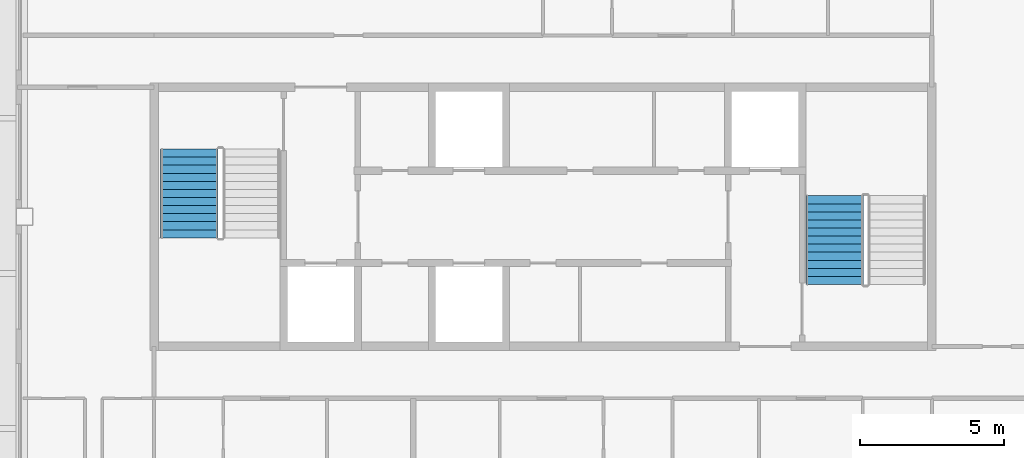
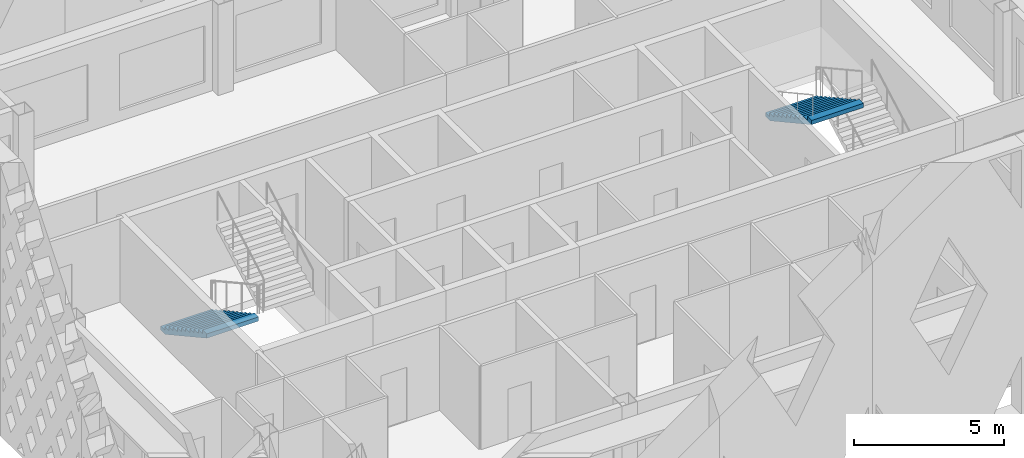
# One storey, part 7 of 13: 2 stair flights, 2 elements without a shape of their own.
"""IFC4 building model written with IfcOpenShell, lengths in metres."""

from ifc_helpers import new_model, si_unit, direction, frame, origin, place, context, subcontext, project, spatial, polygons, material, type_object, element, aggregate, save


model = new_model("IFC4")

# Units and contexts
model_context = context("Model", 3, precision=1e-05, world=origin(), true_north=direction((0.0, 1.0)))
body_context = subcontext(model_context, "Body", "Model", "MODEL_VIEW")
ifc_project = project(units=[si_unit("LENGTHUNIT", "METRE"), si_unit("AREAUNIT", "SQUARE_METRE"), si_unit("VOLUMEUNIT", "CUBIC_METRE"), si_unit("PLANEANGLEUNIT", "RADIAN"), si_unit("MASSUNIT", "GRAM", prefix="KILO")], contexts=[model_context])

# Site, building, storey
site_placement = place(None, origin())
site = spatial("IfcSite", under=ifc_project, at=site_placement, CompositionType="ELEMENT")
building_placement = place(site_placement, origin())
building = spatial("IfcBuilding", under=site, at=building_placement, Name="Caravel Reach Hotel and Residences", CompositionType="ELEMENT")
storey_placement = place(building_placement, frame((0.0, 0.0, 294.5)))
storey = spatial("IfcBuildingStorey", under=building, at=storey_placement, Name="L75", CompositionType="ELEMENT", Elevation=294.5)

# Stair, stair flight
ifc_material_1 = material(Name="Concrete C40", Category="concrete")
stair_type = type_object("IfcStairType", Name="Core stair", PredefinedType="HALF_TURN_STAIR", material=ifc_material_1)
stair_1_placement = place(storey_placement, origin())
stair_1 = element("IfcStair", 1, at=stair_1_placement, inside=storey, type_object=stair_type, Name="L75 Exit stair A", PredefinedType="HALF_TURN_STAIR")
ifc_material_2 = material(Name="Concrete C40", Category="concrete")
stair_flight_type = type_object("IfcStairFlightType", Name="Core stair flight", PredefinedType="STRAIGHT", material=ifc_material_2)
stair_flight_1_placement = place(storey_placement, frame((19.22509765625, 29.35009765625, 0.0), z_axis=(0.0, 0.0, 1.0), x_axis=(0.0, -1.0, 0.0)))
stair_flight_1 = element("IfcStairFlight", 2, at=stair_flight_1_placement, type_object=stair_flight_type, Name="ST-A flight 1", NumberOfRisers=12, NumberOfTreads=11, PredefinedType="STRAIGHT", RiserHeight=0.154166667, TreadLength=0.28, context=body_context, shape_type="Tessellation", body=[
    polygons([(0.3107950034306102, 1.0, 0.0), (0.3107950034306102, 0.6666666666666667, 0.0), (0.3107950034306102, 0.33333333333333337, 0.0), (0.3107950034306102, 0.0, 0.0), (0.3107950034306102, -0.33333333333333326, 0.0), (0.3107950034306102, -0.6666666666666667, 0.0), (0.3107950034306102, -1.0, 0.0), (3.081, 1.0, 1.524711087717319), (3.081, 0.6666666666666667, 1.524711087717319), (3.081, 0.33333333333333337, 1.524711087717319), (3.081, 0.0, 1.524711087717319), (3.081, -0.33333333333333326, 1.524711087717319), (3.081, -0.6666666666666667, 1.524711087717319), (3.081, -1.0, 1.524711087717319), (3.081, 1.0, 1.695833337), (3.081, 0.6666666666666667, 1.695833337), (3.081, 0.33333333333333337, 1.695833337), (3.081, 0.0, 1.695833337), (3.081, -0.33333333333333326, 1.695833337), (3.081, -0.6666666666666667, 1.695833337), (3.081, -1.0, 1.695833337), (2.8000000000000003, 1.0, 1.695833337), (2.8000000000000003, 0.6666666666666667, 1.695833337), (2.8000000000000003, 0.33333333333333337, 1.695833337), (2.8000000000000003, 0.0, 1.695833337), (2.8000000000000003, -0.33333333333333326, 1.695833337), (2.8000000000000003, -0.6666666666666667, 1.695833337), (2.8000000000000003, -1.0, 1.695833337), (2.8000000000000003, 1.0, 1.5416666700000001), (2.8000000000000003, 0.6666666666666667, 1.5416666700000001), (2.8000000000000003, 0.33333333333333337, 1.5416666700000001), (2.8000000000000003, 0.0, 1.5416666700000001), (2.8000000000000003, -0.33333333333333326, 1.5416666700000001), (2.8000000000000003, -0.6666666666666667, 1.5416666700000001), (2.8000000000000003, -1.0, 1.5416666700000001), (2.5200000000000005, 1.0, 1.5416666700000001), (2.5200000000000005, 0.6666666666666667, 1.5416666700000001), (2.5200000000000005, 0.33333333333333337, 1.5416666700000001), (2.5200000000000005, 0.0, 1.5416666700000001), (2.5200000000000005, -0.33333333333333326, 1.5416666700000001), (2.5200000000000005, -0.6666666666666667, 1.5416666700000001), (2.5200000000000005, -1.0, 1.5416666700000001), (2.5200000000000005, 1.0, 1.387500003), (2.5200000000000005, 0.6666666666666667, 1.387500003), (2.5200000000000005, 0.33333333333333337, 1.387500003), (2.5200000000000005, 0.0, 1.387500003), (2.5200000000000005, -0.33333333333333326, 1.387500003), (2.5200000000000005, -0.6666666666666667, 1.387500003), (2.5200000000000005, -1.0, 1.387500003), (2.24, 1.0, 1.387500003), (2.24, 0.6666666666666667, 1.387500003), (2.24, 0.33333333333333337, 1.387500003), (2.24, 0.0, 1.387500003), (2.24, -0.33333333333333326, 1.387500003), (2.24, -0.6666666666666667, 1.387500003), (2.24, -1.0, 1.387500003), (2.24, 1.0, 1.233333336), (2.24, 0.6666666666666667, 1.233333336), (2.24, 0.33333333333333337, 1.233333336), (2.24, 0.0, 1.233333336), (2.24, -0.33333333333333326, 1.233333336), (2.24, -0.6666666666666667, 1.233333336), (2.24, -1.0, 1.233333336), (1.9600000000000002, 1.0, 1.233333336), (1.9600000000000002, 0.6666666666666667, 1.233333336), (1.9600000000000002, 0.33333333333333337, 1.233333336), (1.9600000000000002, 0.0, 1.233333336), (1.9600000000000002, -0.33333333333333326, 1.233333336), (1.9600000000000002, -0.6666666666666667, 1.233333336), (1.9600000000000002, -1.0, 1.233333336), (1.9600000000000002, 1.0, 1.0791666690000001), (1.9600000000000002, 0.6666666666666667, 1.0791666690000001), (1.9600000000000002, 0.33333333333333337, 1.0791666690000001), (1.9600000000000002, 0.0, 1.0791666690000001), (1.9600000000000002, -0.33333333333333326, 1.0791666690000001), (1.9600000000000002, -0.6666666666666667, 1.0791666690000001), (1.9600000000000002, -1.0, 1.0791666690000001), (1.6800000000000002, 1.0, 1.0791666690000001), (1.6800000000000002, 0.6666666666666667, 1.0791666690000001), (1.6800000000000002, 0.33333333333333337, 1.0791666690000001), (1.6800000000000002, 0.0, 1.0791666690000001), (1.6800000000000002, -0.33333333333333326, 1.0791666690000001), (1.6800000000000002, -0.6666666666666667, 1.0791666690000001), (1.6800000000000002, -1.0, 1.0791666690000001), (1.6800000000000002, 1.0, 0.925000002), (1.6800000000000002, 0.6666666666666667, 0.925000002), (1.6800000000000002, 0.33333333333333337, 0.925000002), (1.6800000000000002, 0.0, 0.925000002), (1.6800000000000002, -0.33333333333333326, 0.925000002), (1.6800000000000002, -0.6666666666666667, 0.925000002), (1.6800000000000002, -1.0, 0.925000002), (1.4000000000000001, 1.0, 0.925000002), (1.4000000000000001, 0.6666666666666667, 0.925000002), (1.4000000000000001, 0.33333333333333337, 0.925000002), (1.4000000000000001, 0.0, 0.925000002), (1.4000000000000001, -0.33333333333333326, 0.925000002), (1.4000000000000001, -0.6666666666666667, 0.925000002), (1.4000000000000001, -1.0, 0.925000002), (1.4000000000000001, 1.0, 0.7708333350000001), (1.4000000000000001, 0.6666666666666667, 0.7708333350000001), (1.4000000000000001, 0.33333333333333337, 0.7708333350000001), (1.4000000000000001, 0.0, 0.7708333350000001), (1.4000000000000001, -0.33333333333333326, 0.7708333350000001), (1.4000000000000001, -0.6666666666666667, 0.7708333350000001), (1.4000000000000001, -1.0, 0.7708333350000001), (1.12, 1.0, 0.7708333350000001), (1.12, 0.6666666666666667, 0.7708333350000001), (1.12, 0.33333333333333337, 0.7708333350000001), (1.12, 0.0, 0.7708333350000001), (1.12, -0.33333333333333326, 0.7708333350000001), (1.12, -0.6666666666666667, 0.7708333350000001), (1.12, -1.0, 0.7708333350000001), (1.12, 1.0, 0.616666668), (1.12, 0.6666666666666667, 0.616666668), (1.12, 0.33333333333333337, 0.616666668), (1.12, 0.0, 0.616666668), (1.12, -0.33333333333333326, 0.616666668), (1.12, -0.6666666666666667, 0.616666668), (1.12, -1.0, 0.616666668), (0.8400000000000001, 1.0, 0.616666668), (0.8400000000000001, 0.6666666666666667, 0.616666668), (0.8400000000000001, 0.33333333333333337, 0.616666668), (0.8400000000000001, 0.0, 0.616666668), (0.8400000000000001, -0.33333333333333326, 0.616666668), (0.8400000000000001, -0.6666666666666667, 0.616666668), (0.8400000000000001, -1.0, 0.616666668), (0.8400000000000001, 1.0, 0.462500001), (0.8400000000000001, 0.6666666666666667, 0.462500001), (0.8400000000000001, 0.33333333333333337, 0.462500001), (0.8400000000000001, 0.0, 0.462500001), (0.8400000000000001, -0.33333333333333326, 0.462500001), (0.8400000000000001, -0.6666666666666667, 0.462500001), (0.8400000000000001, -1.0, 0.462500001), (0.56, 1.0, 0.462500001), (0.56, 0.6666666666666667, 0.462500001), (0.56, 0.33333333333333337, 0.462500001), (0.56, 0.0, 0.462500001), (0.56, -0.33333333333333326, 0.462500001), (0.56, -0.6666666666666667, 0.462500001), (0.56, -1.0, 0.462500001), (0.56, 1.0, 0.308333334), (0.56, 0.6666666666666667, 0.308333334), (0.56, 0.33333333333333337, 0.308333334), (0.56, 0.0, 0.308333334), (0.56, -0.33333333333333326, 0.308333334), (0.56, -0.6666666666666667, 0.308333334), (0.56, -1.0, 0.308333334), (0.28, 1.0, 0.308333334), (0.28, 0.6666666666666667, 0.308333334), (0.28, 0.33333333333333337, 0.308333334), (0.28, 0.0, 0.308333334), (0.28, -0.33333333333333326, 0.308333334), (0.28, -0.6666666666666667, 0.308333334), (0.28, -1.0, 0.308333334), (0.28, 1.0, 0.154166667), (0.28, 0.6666666666666667, 0.154166667), (0.28, 0.33333333333333337, 0.154166667), (0.28, 0.0, 0.154166667), (0.28, -0.33333333333333326, 0.154166667), (0.28, -0.6666666666666667, 0.154166667), (0.28, -1.0, 0.154166667), (-0.001, 1.0, 0.154166667), (-0.001, 0.6666666666666667, 0.154166667), (-0.001, 0.33333333333333337, 0.154166667), (-0.001, 0.0, 0.154166667), (-0.001, -0.33333333333333326, 0.154166667), (-0.001, -0.6666666666666667, 0.154166667), (-0.001, -1.0, 0.154166667), (-0.001, 1.0, 0.0), (-0.001, 0.6666666666666667, 0.0), (-0.001, 0.33333333333333337, 0.0), (-0.001, 0.0, 0.0), (-0.001, -0.33333333333333326, 0.0), (-0.001, -0.6666666666666667, 0.0), (-0.001, -1.0, 0.0)], [[[169, 162, 155, 148, 141, 134, 127, 120, 113, 106, 99, 92, 85, 78, 71, 64, 57, 50, 43, 36, 29, 22, 15, 8, 1]], [[7, 14, 21, 28, 35, 42, 49, 56, 63, 70, 77, 84, 91, 98, 105, 112, 119, 126, 133, 140, 147, 154, 161, 168, 175]], [[1, 8, 9, 2]], [[2, 9, 10, 3]], [[3, 10, 11, 4]], [[4, 11, 12, 5]], [[5, 12, 13, 6]], [[6, 13, 14, 7]], [[8, 15, 16, 9]], [[9, 16, 17, 10]], [[10, 17, 18, 11]], [[11, 18, 19, 12]], [[12, 19, 20, 13]], [[13, 20, 21, 14]], [[15, 22, 23, 16]], [[16, 23, 24, 17]], [[17, 24, 25, 18]], [[18, 25, 26, 19]], [[19, 26, 27, 20]], [[20, 27, 28, 21]], [[22, 29, 30, 23]], [[23, 30, 31, 24]], [[24, 31, 32, 25]], [[25, 32, 33, 26]], [[26, 33, 34, 27]], [[27, 34, 35, 28]], [[29, 36, 37, 30]], [[30, 37, 38, 31]], [[31, 38, 39, 32]], [[32, 39, 40, 33]], [[33, 40, 41, 34]], [[34, 41, 42, 35]], [[36, 43, 44, 37]], [[37, 44, 45, 38]], [[38, 45, 46, 39]], [[39, 46, 47, 40]], [[40, 47, 48, 41]], [[41, 48, 49, 42]], [[43, 50, 51, 44]], [[44, 51, 52, 45]], [[45, 52, 53, 46]], [[46, 53, 54, 47]], [[47, 54, 55, 48]], [[48, 55, 56, 49]], [[50, 57, 58, 51]], [[51, 58, 59, 52]], [[52, 59, 60, 53]], [[53, 60, 61, 54]], [[54, 61, 62, 55]], [[55, 62, 63, 56]], [[57, 64, 65, 58]], [[58, 65, 66, 59]], [[59, 66, 67, 60]], [[60, 67, 68, 61]], [[61, 68, 69, 62]], [[62, 69, 70, 63]], [[64, 71, 72, 65]], [[65, 72, 73, 66]], [[66, 73, 74, 67]], [[67, 74, 75, 68]], [[68, 75, 76, 69]], [[69, 76, 77, 70]], [[71, 78, 79, 72]], [[72, 79, 80, 73]], [[73, 80, 81, 74]], [[74, 81, 82, 75]], [[75, 82, 83, 76]], [[76, 83, 84, 77]], [[78, 85, 86, 79]], [[79, 86, 87, 80]], [[80, 87, 88, 81]], [[81, 88, 89, 82]], [[82, 89, 90, 83]], [[83, 90, 91, 84]], [[85, 92, 93, 86]], [[86, 93, 94, 87]], [[87, 94, 95, 88]], [[88, 95, 96, 89]], [[89, 96, 97, 90]], [[90, 97, 98, 91]], [[92, 99, 100, 93]], [[93, 100, 101, 94]], [[94, 101, 102, 95]], [[95, 102, 103, 96]], [[96, 103, 104, 97]], [[97, 104, 105, 98]], [[99, 106, 107, 100]], [[100, 107, 108, 101]], [[101, 108, 109, 102]], [[102, 109, 110, 103]], [[103, 110, 111, 104]], [[104, 111, 112, 105]], [[106, 113, 114, 107]], [[107, 114, 115, 108]], [[108, 115, 116, 109]], [[109, 116, 117, 110]], [[110, 117, 118, 111]], [[111, 118, 119, 112]], [[113, 120, 121, 114]], [[114, 121, 122, 115]], [[115, 122, 123, 116]], [[116, 123, 124, 117]], [[117, 124, 125, 118]], [[118, 125, 126, 119]], [[120, 127, 128, 121]], [[121, 128, 129, 122]], [[122, 129, 130, 123]], [[123, 130, 131, 124]], [[124, 131, 132, 125]], [[125, 132, 133, 126]], [[127, 134, 135, 128]], [[128, 135, 136, 129]], [[129, 136, 137, 130]], [[130, 137, 138, 131]], [[131, 138, 139, 132]], [[132, 139, 140, 133]], [[134, 141, 142, 135]], [[135, 142, 143, 136]], [[136, 143, 144, 137]], [[137, 144, 145, 138]], [[138, 145, 146, 139]], [[139, 146, 147, 140]], [[141, 148, 149, 142]], [[142, 149, 150, 143]], [[143, 150, 151, 144]], [[144, 151, 152, 145]], [[145, 152, 153, 146]], [[146, 153, 154, 147]], [[148, 155, 156, 149]], [[149, 156, 157, 150]], [[150, 157, 158, 151]], [[151, 158, 159, 152]], [[152, 159, 160, 153]], [[153, 160, 161, 154]], [[155, 162, 163, 156]], [[156, 163, 164, 157]], [[157, 164, 165, 158]], [[158, 165, 166, 159]], [[159, 166, 167, 160]], [[160, 167, 168, 161]], [[162, 169, 170, 163]], [[163, 170, 171, 164]], [[164, 171, 172, 165]], [[165, 172, 173, 166]], [[166, 173, 174, 167]], [[167, 174, 175, 168]], [[169, 1, 2, 170]], [[170, 2, 3, 171]], [[171, 3, 4, 172]], [[172, 4, 5, 173]], [[173, 5, 6, 174]], [[174, 6, 7, 175]]], closed=True),
])
aggregate(stair_1, [stair_flight_1])

stair_2_placement = place(storey_placement, origin())
stair_2 = element("IfcStair", 3, at=stair_2_placement, inside=storey, type_object=stair_type, Name="L75 Exit stair B", PredefinedType="HALF_TURN_STAIR")
stair_flight_2_placement = place(storey_placement, frame((41.625, 27.72998046875, 1.85009765625), z_axis=(0.0, 0.0, 1.0), x_axis=(0.0, -1.0, 0.0)))
stair_flight_2 = element("IfcStairFlight", 4, at=stair_flight_2_placement, type_object=stair_flight_type, Name="ST-B flight 2", NumberOfRisers=12, NumberOfTreads=11, PredefinedType="STRAIGHT", RiserHeight=0.154166667, TreadLength=0.28, context=body_context, shape_type="Tessellation", body=[
    polygons([(0.3107950034306102, 1.0, 0.0), (0.3107950034306102, 0.6666666666666667, 0.0), (0.3107950034306102, 0.33333333333333337, 0.0), (0.3107950034306102, 0.0, 0.0), (0.3107950034306102, -0.33333333333333326, 0.0), (0.3107950034306102, -0.6666666666666667, 0.0), (0.3107950034306102, -1.0, 0.0), (3.081, 1.0, 1.524711087717319), (3.081, 0.6666666666666667, 1.524711087717319), (3.081, 0.33333333333333337, 1.524711087717319), (3.081, 0.0, 1.524711087717319), (3.081, -0.33333333333333326, 1.524711087717319), (3.081, -0.6666666666666667, 1.524711087717319), (3.081, -1.0, 1.524711087717319), (3.081, 1.0, 1.695833337), (3.081, 0.6666666666666667, 1.695833337), (3.081, 0.33333333333333337, 1.695833337), (3.081, 0.0, 1.695833337), (3.081, -0.33333333333333326, 1.695833337), (3.081, -0.6666666666666667, 1.695833337), (3.081, -1.0, 1.695833337), (2.8000000000000003, 1.0, 1.695833337), (2.8000000000000003, 0.6666666666666667, 1.695833337), (2.8000000000000003, 0.33333333333333337, 1.695833337), (2.8000000000000003, 0.0, 1.695833337), (2.8000000000000003, -0.33333333333333326, 1.695833337), (2.8000000000000003, -0.6666666666666667, 1.695833337), (2.8000000000000003, -1.0, 1.695833337), (2.8000000000000003, 1.0, 1.5416666700000001), (2.8000000000000003, 0.6666666666666667, 1.5416666700000001), (2.8000000000000003, 0.33333333333333337, 1.5416666700000001), (2.8000000000000003, 0.0, 1.5416666700000001), (2.8000000000000003, -0.33333333333333326, 1.5416666700000001), (2.8000000000000003, -0.6666666666666667, 1.5416666700000001), (2.8000000000000003, -1.0, 1.5416666700000001), (2.5200000000000005, 1.0, 1.5416666700000001), (2.5200000000000005, 0.6666666666666667, 1.5416666700000001), (2.5200000000000005, 0.33333333333333337, 1.5416666700000001), (2.5200000000000005, 0.0, 1.5416666700000001), (2.5200000000000005, -0.33333333333333326, 1.5416666700000001), (2.5200000000000005, -0.6666666666666667, 1.5416666700000001), (2.5200000000000005, -1.0, 1.5416666700000001), (2.5200000000000005, 1.0, 1.387500003), (2.5200000000000005, 0.6666666666666667, 1.387500003), (2.5200000000000005, 0.33333333333333337, 1.387500003), (2.5200000000000005, 0.0, 1.387500003), (2.5200000000000005, -0.33333333333333326, 1.387500003), (2.5200000000000005, -0.6666666666666667, 1.387500003), (2.5200000000000005, -1.0, 1.387500003), (2.24, 1.0, 1.387500003), (2.24, 0.6666666666666667, 1.387500003), (2.24, 0.33333333333333337, 1.387500003), (2.24, 0.0, 1.387500003), (2.24, -0.33333333333333326, 1.387500003), (2.24, -0.6666666666666667, 1.387500003), (2.24, -1.0, 1.387500003), (2.24, 1.0, 1.233333336), (2.24, 0.6666666666666667, 1.233333336), (2.24, 0.33333333333333337, 1.233333336), (2.24, 0.0, 1.233333336), (2.24, -0.33333333333333326, 1.233333336), (2.24, -0.6666666666666667, 1.233333336), (2.24, -1.0, 1.233333336), (1.9600000000000002, 1.0, 1.233333336), (1.9600000000000002, 0.6666666666666667, 1.233333336), (1.9600000000000002, 0.33333333333333337, 1.233333336), (1.9600000000000002, 0.0, 1.233333336), (1.9600000000000002, -0.33333333333333326, 1.233333336), (1.9600000000000002, -0.6666666666666667, 1.233333336), (1.9600000000000002, -1.0, 1.233333336), (1.9600000000000002, 1.0, 1.0791666690000001), (1.9600000000000002, 0.6666666666666667, 1.0791666690000001), (1.9600000000000002, 0.33333333333333337, 1.0791666690000001), (1.9600000000000002, 0.0, 1.0791666690000001), (1.9600000000000002, -0.33333333333333326, 1.0791666690000001), (1.9600000000000002, -0.6666666666666667, 1.0791666690000001), (1.9600000000000002, -1.0, 1.0791666690000001), (1.6800000000000002, 1.0, 1.0791666690000001), (1.6800000000000002, 0.6666666666666667, 1.0791666690000001), (1.6800000000000002, 0.33333333333333337, 1.0791666690000001), (1.6800000000000002, 0.0, 1.0791666690000001), (1.6800000000000002, -0.33333333333333326, 1.0791666690000001), (1.6800000000000002, -0.6666666666666667, 1.0791666690000001), (1.6800000000000002, -1.0, 1.0791666690000001), (1.6800000000000002, 1.0, 0.925000002), (1.6800000000000002, 0.6666666666666667, 0.925000002), (1.6800000000000002, 0.33333333333333337, 0.925000002), (1.6800000000000002, 0.0, 0.925000002), (1.6800000000000002, -0.33333333333333326, 0.925000002), (1.6800000000000002, -0.6666666666666667, 0.925000002), (1.6800000000000002, -1.0, 0.925000002), (1.4000000000000001, 1.0, 0.925000002), (1.4000000000000001, 0.6666666666666667, 0.925000002), (1.4000000000000001, 0.33333333333333337, 0.925000002), (1.4000000000000001, 0.0, 0.925000002), (1.4000000000000001, -0.33333333333333326, 0.925000002), (1.4000000000000001, -0.6666666666666667, 0.925000002), (1.4000000000000001, -1.0, 0.925000002), (1.4000000000000001, 1.0, 0.7708333350000001), (1.4000000000000001, 0.6666666666666667, 0.7708333350000001), (1.4000000000000001, 0.33333333333333337, 0.7708333350000001), (1.4000000000000001, 0.0, 0.7708333350000001), (1.4000000000000001, -0.33333333333333326, 0.7708333350000001), (1.4000000000000001, -0.6666666666666667, 0.7708333350000001), (1.4000000000000001, -1.0, 0.7708333350000001), (1.12, 1.0, 0.7708333350000001), (1.12, 0.6666666666666667, 0.7708333350000001), (1.12, 0.33333333333333337, 0.7708333350000001), (1.12, 0.0, 0.7708333350000001), (1.12, -0.33333333333333326, 0.7708333350000001), (1.12, -0.6666666666666667, 0.7708333350000001), (1.12, -1.0, 0.7708333350000001), (1.12, 1.0, 0.616666668), (1.12, 0.6666666666666667, 0.616666668), (1.12, 0.33333333333333337, 0.616666668), (1.12, 0.0, 0.616666668), (1.12, -0.33333333333333326, 0.616666668), (1.12, -0.6666666666666667, 0.616666668), (1.12, -1.0, 0.616666668), (0.8400000000000001, 1.0, 0.616666668), (0.8400000000000001, 0.6666666666666667, 0.616666668), (0.8400000000000001, 0.33333333333333337, 0.616666668), (0.8400000000000001, 0.0, 0.616666668), (0.8400000000000001, -0.33333333333333326, 0.616666668), (0.8400000000000001, -0.6666666666666667, 0.616666668), (0.8400000000000001, -1.0, 0.616666668), (0.8400000000000001, 1.0, 0.462500001), (0.8400000000000001, 0.6666666666666667, 0.462500001), (0.8400000000000001, 0.33333333333333337, 0.462500001), (0.8400000000000001, 0.0, 0.462500001), (0.8400000000000001, -0.33333333333333326, 0.462500001), (0.8400000000000001, -0.6666666666666667, 0.462500001), (0.8400000000000001, -1.0, 0.462500001), (0.56, 1.0, 0.462500001), (0.56, 0.6666666666666667, 0.462500001), (0.56, 0.33333333333333337, 0.462500001), (0.56, 0.0, 0.462500001), (0.56, -0.33333333333333326, 0.462500001), (0.56, -0.6666666666666667, 0.462500001), (0.56, -1.0, 0.462500001), (0.56, 1.0, 0.308333334), (0.56, 0.6666666666666667, 0.308333334), (0.56, 0.33333333333333337, 0.308333334), (0.56, 0.0, 0.308333334), (0.56, -0.33333333333333326, 0.308333334), (0.56, -0.6666666666666667, 0.308333334), (0.56, -1.0, 0.308333334), (0.28, 1.0, 0.308333334), (0.28, 0.6666666666666667, 0.308333334), (0.28, 0.33333333333333337, 0.308333334), (0.28, 0.0, 0.308333334), (0.28, -0.33333333333333326, 0.308333334), (0.28, -0.6666666666666667, 0.308333334), (0.28, -1.0, 0.308333334), (0.28, 1.0, 0.154166667), (0.28, 0.6666666666666667, 0.154166667), (0.28, 0.33333333333333337, 0.154166667), (0.28, 0.0, 0.154166667), (0.28, -0.33333333333333326, 0.154166667), (0.28, -0.6666666666666667, 0.154166667), (0.28, -1.0, 0.154166667), (-0.001, 1.0, 0.154166667), (-0.001, 0.6666666666666667, 0.154166667), (-0.001, 0.33333333333333337, 0.154166667), (-0.001, 0.0, 0.154166667), (-0.001, -0.33333333333333326, 0.154166667), (-0.001, -0.6666666666666667, 0.154166667), (-0.001, -1.0, 0.154166667), (-0.001, 1.0, 0.0), (-0.001, 0.6666666666666667, 0.0), (-0.001, 0.33333333333333337, 0.0), (-0.001, 0.0, 0.0), (-0.001, -0.33333333333333326, 0.0), (-0.001, -0.6666666666666667, 0.0), (-0.001, -1.0, 0.0)], [[[169, 162, 155, 148, 141, 134, 127, 120, 113, 106, 99, 92, 85, 78, 71, 64, 57, 50, 43, 36, 29, 22, 15, 8, 1]], [[7, 14, 21, 28, 35, 42, 49, 56, 63, 70, 77, 84, 91, 98, 105, 112, 119, 126, 133, 140, 147, 154, 161, 168, 175]], [[1, 8, 9, 2]], [[2, 9, 10, 3]], [[3, 10, 11, 4]], [[4, 11, 12, 5]], [[5, 12, 13, 6]], [[6, 13, 14, 7]], [[8, 15, 16, 9]], [[9, 16, 17, 10]], [[10, 17, 18, 11]], [[11, 18, 19, 12]], [[12, 19, 20, 13]], [[13, 20, 21, 14]], [[15, 22, 23, 16]], [[16, 23, 24, 17]], [[17, 24, 25, 18]], [[18, 25, 26, 19]], [[19, 26, 27, 20]], [[20, 27, 28, 21]], [[22, 29, 30, 23]], [[23, 30, 31, 24]], [[24, 31, 32, 25]], [[25, 32, 33, 26]], [[26, 33, 34, 27]], [[27, 34, 35, 28]], [[29, 36, 37, 30]], [[30, 37, 38, 31]], [[31, 38, 39, 32]], [[32, 39, 40, 33]], [[33, 40, 41, 34]], [[34, 41, 42, 35]], [[36, 43, 44, 37]], [[37, 44, 45, 38]], [[38, 45, 46, 39]], [[39, 46, 47, 40]], [[40, 47, 48, 41]], [[41, 48, 49, 42]], [[43, 50, 51, 44]], [[44, 51, 52, 45]], [[45, 52, 53, 46]], [[46, 53, 54, 47]], [[47, 54, 55, 48]], [[48, 55, 56, 49]], [[50, 57, 58, 51]], [[51, 58, 59, 52]], [[52, 59, 60, 53]], [[53, 60, 61, 54]], [[54, 61, 62, 55]], [[55, 62, 63, 56]], [[57, 64, 65, 58]], [[58, 65, 66, 59]], [[59, 66, 67, 60]], [[60, 67, 68, 61]], [[61, 68, 69, 62]], [[62, 69, 70, 63]], [[64, 71, 72, 65]], [[65, 72, 73, 66]], [[66, 73, 74, 67]], [[67, 74, 75, 68]], [[68, 75, 76, 69]], [[69, 76, 77, 70]], [[71, 78, 79, 72]], [[72, 79, 80, 73]], [[73, 80, 81, 74]], [[74, 81, 82, 75]], [[75, 82, 83, 76]], [[76, 83, 84, 77]], [[78, 85, 86, 79]], [[79, 86, 87, 80]], [[80, 87, 88, 81]], [[81, 88, 89, 82]], [[82, 89, 90, 83]], [[83, 90, 91, 84]], [[85, 92, 93, 86]], [[86, 93, 94, 87]], [[87, 94, 95, 88]], [[88, 95, 96, 89]], [[89, 96, 97, 90]], [[90, 97, 98, 91]], [[92, 99, 100, 93]], [[93, 100, 101, 94]], [[94, 101, 102, 95]], [[95, 102, 103, 96]], [[96, 103, 104, 97]], [[97, 104, 105, 98]], [[99, 106, 107, 100]], [[100, 107, 108, 101]], [[101, 108, 109, 102]], [[102, 109, 110, 103]], [[103, 110, 111, 104]], [[104, 111, 112, 105]], [[106, 113, 114, 107]], [[107, 114, 115, 108]], [[108, 115, 116, 109]], [[109, 116, 117, 110]], [[110, 117, 118, 111]], [[111, 118, 119, 112]], [[113, 120, 121, 114]], [[114, 121, 122, 115]], [[115, 122, 123, 116]], [[116, 123, 124, 117]], [[117, 124, 125, 118]], [[118, 125, 126, 119]], [[120, 127, 128, 121]], [[121, 128, 129, 122]], [[122, 129, 130, 123]], [[123, 130, 131, 124]], [[124, 131, 132, 125]], [[125, 132, 133, 126]], [[127, 134, 135, 128]], [[128, 135, 136, 129]], [[129, 136, 137, 130]], [[130, 137, 138, 131]], [[131, 138, 139, 132]], [[132, 139, 140, 133]], [[134, 141, 142, 135]], [[135, 142, 143, 136]], [[136, 143, 144, 137]], [[137, 144, 145, 138]], [[138, 145, 146, 139]], [[139, 146, 147, 140]], [[141, 148, 149, 142]], [[142, 149, 150, 143]], [[143, 150, 151, 144]], [[144, 151, 152, 145]], [[145, 152, 153, 146]], [[146, 153, 154, 147]], [[148, 155, 156, 149]], [[149, 156, 157, 150]], [[150, 157, 158, 151]], [[151, 158, 159, 152]], [[152, 159, 160, 153]], [[153, 160, 161, 154]], [[155, 162, 163, 156]], [[156, 163, 164, 157]], [[157, 164, 165, 158]], [[158, 165, 166, 159]], [[159, 166, 167, 160]], [[160, 167, 168, 161]], [[162, 169, 170, 163]], [[163, 170, 171, 164]], [[164, 171, 172, 165]], [[165, 172, 173, 166]], [[166, 173, 174, 167]], [[167, 174, 175, 168]], [[169, 1, 2, 170]], [[170, 2, 3, 171]], [[171, 3, 4, 172]], [[172, 4, 5, 173]], [[173, 5, 6, 174]], [[174, 6, 7, 175]]], closed=True),
])
aggregate(stair_2, [stair_flight_2])

save(model, "model.ifc")
